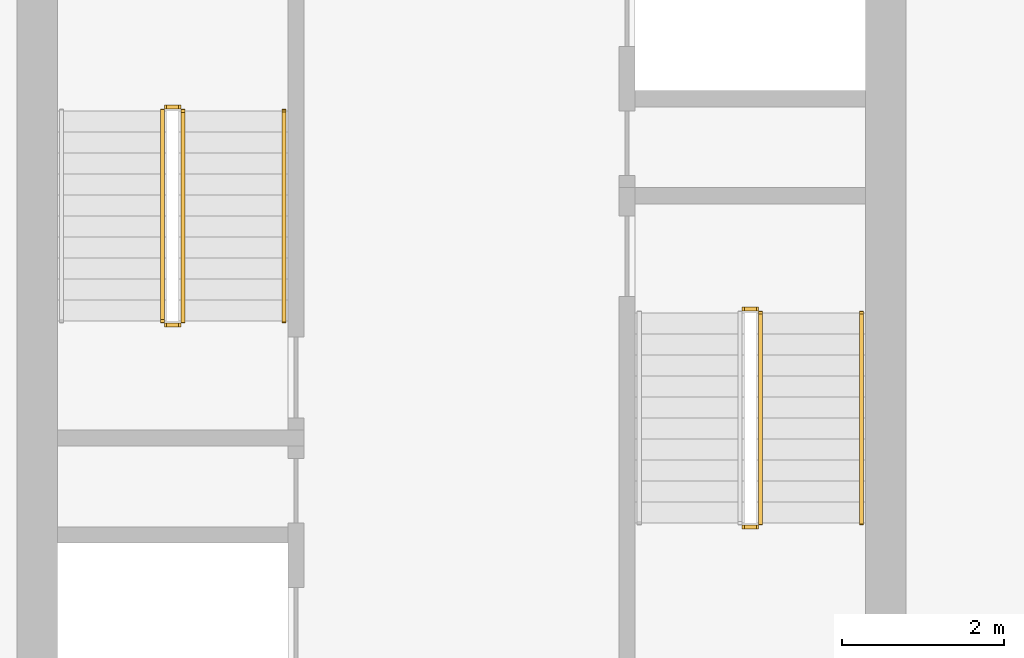
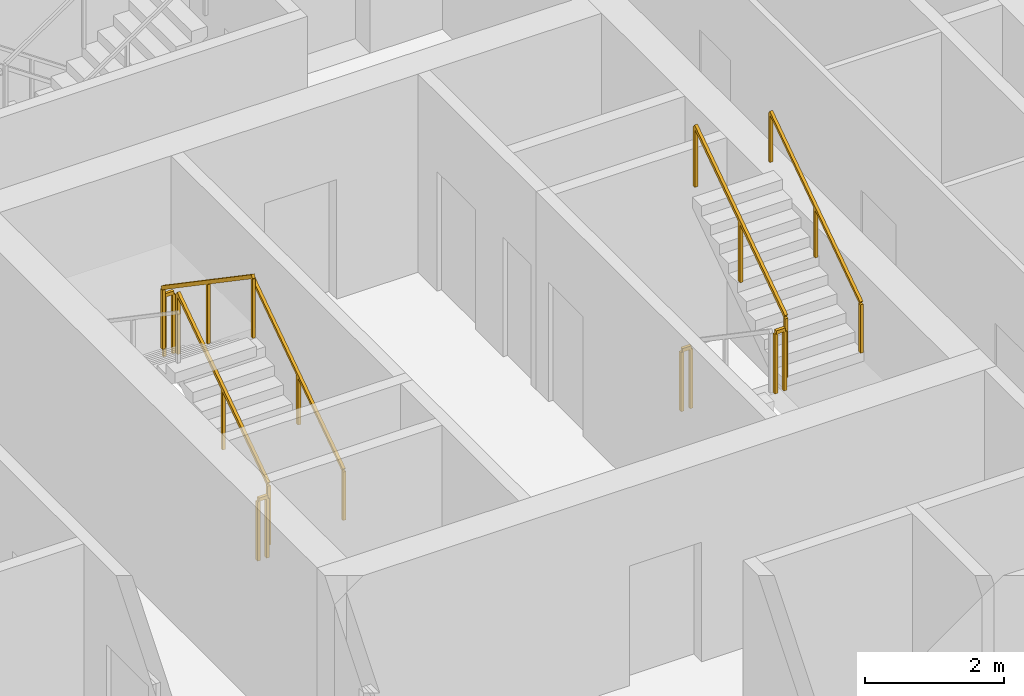
# One storey, part 12 of 15: 9 railings.
"""IFC4 building model written with IfcOpenShell, lengths in metres."""

from ifc_helpers import new_model, si_unit, direction, frame, origin, origin_2d, place, context, subcontext, project, spatial, rectangle, extrude, material, type_object, element, save


model = new_model("IFC4")

# Units and contexts
model_context = context("Model", 3, precision=1e-05, world=origin(), true_north=direction((0.0, 1.0)))
body_context = subcontext(model_context, "Body", "Model", "MODEL_VIEW")
ifc_project = project(units=[si_unit("LENGTHUNIT", "METRE"), si_unit("AREAUNIT", "SQUARE_METRE"), si_unit("VOLUMEUNIT", "CUBIC_METRE"), si_unit("PLANEANGLEUNIT", "RADIAN"), si_unit("MASSUNIT", "GRAM", prefix="KILO")], contexts=[model_context])

# Site, building, storey
site_placement = place(None, origin())
site = spatial("IfcSite", under=ifc_project, at=site_placement, CompositionType="ELEMENT")
building_placement = place(site_placement, origin())
building = spatial("IfcBuilding", under=site, at=building_placement, Name="Khepri Terraces", CompositionType="ELEMENT")
storey_placement = place(building_placement, frame((0.0, 0.0, 98.699951171875)))
storey = spatial("IfcBuildingStorey", under=building, at=storey_placement, Name="L23", CompositionType="ELEMENT", Elevation=98.699951171875)

# Railings
ifc_material = material(Name="Stainless steel 316", Category="steel")
railing_type_1 = type_object("IfcRailingType", Name="RL-CORE-GUARD", PredefinedType="GUARDRAIL", material=ifc_material)
railing_1_placement = place(storey_placement, frame((-3.449951171875, -0.050048828125, 0.17724609375)))
element("IfcRailing", 1, at=railing_1_placement, inside=storey, type_object=railing_type_1, Name="L23 ST-1 stair guard 1", PredefinedType="GUARDRAIL", context=body_context, shape_type="SweptSolid", body=[
    extrude(rectangle(XDim=0.050048828125, YDim=0.06005859375, at=origin_2d()), frame((0.0, 0.0, 1.070068359375), z_axis=(0.0, 0.826240473404, 0.563317565952), x_axis=(-1.0, 0.0, 0.0)), (0.0, 0.0, 1.0), 3.14697265625),
    extrude(rectangle(XDim=0.050048828125, YDim=0.050048828125, at=origin_2d()), origin(), (0.0, 0.0, 1.0), 1.0400390625),
    extrude(rectangle(XDim=0.050048828125, YDim=0.050048828125, at=origin_2d()), frame((0.0, 1.300048828125, 0.88623046875)), (0.0, 0.0, 1.0), 1.0400390625),
    extrude(rectangle(XDim=0.050048828125, YDim=0.050048828125, at=origin_2d()), frame((0.0, 2.60009765625, 1.772705078125)), (0.0, 0.0, 1.0), 1.0400390625),
])
railing_2_placement = place(storey_placement, frame((-3.5, 2.60009765625, 1.949951171875)))
element("IfcRailing", 2, at=railing_2_placement, inside=storey, type_object=railing_type_1, Name="L23 ST-1 stair guard 2", PredefinedType="GUARDRAIL", context=body_context, shape_type="SweptSolid", body=[
    extrude(rectangle(XDim=0.050048828125, YDim=0.06005859375, at=origin_2d()), frame((0.0, 0.0, 1.070068359375), z_axis=(-1.0, 0.0, 0.0), x_axis=(0.0, -1.0, 0.0)), (0.0, 0.0, 1.0), 0.14990234375),
    extrude(rectangle(XDim=0.050048828125, YDim=0.050048828125, at=origin_2d()), origin(), (0.0, 0.0, 1.0), 1.0400390625),
    extrude(rectangle(XDim=0.050048828125, YDim=0.050048828125, at=origin_2d()), frame((-0.14990234375, 0.0, 0.0)), (0.0, 0.0, 1.0), 1.0400390625),
])
railing_3_placement = place(storey_placement, frame((-3.699951171875, 2.550048828125, 2.12744140625)))
element("IfcRailing", 3, at=railing_3_placement, inside=storey, type_object=railing_type_1, Name="L23 ST-1 stair guard 3", PredefinedType="GUARDRAIL", context=body_context, shape_type="SweptSolid", body=[
    extrude(rectangle(XDim=0.050048828125, YDim=0.06005859375, at=origin_2d()), frame((0.0, 0.0, 1.070068359375), z_axis=(0.0, -0.826240473404, 0.563317565952), x_axis=(1.0, 0.0, 0.0)), (0.0, 0.0, 1.0), 3.14697265625),
    extrude(rectangle(XDim=0.050048828125, YDim=0.050048828125, at=origin_2d()), origin(), (0.0, 0.0, 1.0), 1.0400390625),
    extrude(rectangle(XDim=0.050048828125, YDim=0.050048828125, at=origin_2d()), frame((0.0, -1.300048828125, 0.88623046875)), (0.0, 0.0, 1.0), 1.0400390625),
    extrude(rectangle(XDim=0.050048828125, YDim=0.050048828125, at=origin_2d()), frame((0.0, -2.60009765625, 1.772705078125)), (0.0, 0.0, 1.0), 1.0400390625),
])
railing_4_placement = place(storey_placement, frame((-3.5, -0.10009765625, 0.0)))
element("IfcRailing", 4, at=railing_4_placement, inside=storey, type_object=railing_type_1, Name="L23 ST-1 stair guard 4", PredefinedType="GUARDRAIL", context=body_context, shape_type="SweptSolid", body=[
    extrude(rectangle(XDim=0.050048828125, YDim=0.06005859375, at=origin_2d()), frame((0.0, 0.0, 1.070068359375), z_axis=(-1.0, 0.0, 0.0), x_axis=(0.0, -1.0, 0.0)), (0.0, 0.0, 1.0), 0.14990234375),
    extrude(rectangle(XDim=0.050048828125, YDim=0.050048828125, at=origin_2d()), origin(), (0.0, 0.0, 1.0), 1.0400390625),
    extrude(rectangle(XDim=0.050048828125, YDim=0.050048828125, at=origin_2d()), frame((-0.14990234375, 0.0, 0.0)), (0.0, 0.0, 1.0), 1.0400390625),
])
railing_5_placement = place(storey_placement, frame((3.5, -2.60009765625, 1.949951171875)))
element("IfcRailing", 5, at=railing_5_placement, inside=storey, type_object=railing_type_1, Name="L23 ST-2 stair guard 2", PredefinedType="GUARDRAIL", context=body_context, shape_type="SweptSolid", body=[
    extrude(rectangle(XDim=0.050048828125, YDim=0.06005859375, at=origin_2d()), frame((0.0, 0.0, 1.070068359375), z_axis=(1.0, 0.0, 0.0), x_axis=(0.0, 1.0, 0.0)), (0.0, 0.0, 1.0), 0.14990234375),
    extrude(rectangle(XDim=0.050048828125, YDim=0.050048828125, at=origin_2d()), origin(), (0.0, 0.0, 1.0), 1.0400390625),
    extrude(rectangle(XDim=0.050048828125, YDim=0.050048828125, at=origin_2d()), frame((0.14990234375, 0.0, 0.0)), (0.0, 0.0, 1.0), 1.0400390625),
])
railing_6_placement = place(storey_placement, frame((3.699951171875, -2.550048828125, 2.12744140625)))
element("IfcRailing", 6, at=railing_6_placement, inside=storey, type_object=railing_type_1, Name="L23 ST-2 stair guard 3", PredefinedType="GUARDRAIL", context=body_context, shape_type="SweptSolid", body=[
    extrude(rectangle(XDim=0.050048828125, YDim=0.06005859375, at=origin_2d()), frame((0.0, 0.0, 1.070068359375), z_axis=(0.0, 0.826240473404, 0.563317565952), x_axis=(-1.0, 0.0, 0.0)), (0.0, 0.0, 1.0), 3.14697265625),
    extrude(rectangle(XDim=0.050048828125, YDim=0.050048828125, at=origin_2d()), origin(), (0.0, 0.0, 1.0), 1.0400390625),
    extrude(rectangle(XDim=0.050048828125, YDim=0.050048828125, at=origin_2d()), frame((0.0, 1.300048828125, 0.88623046875)), (0.0, 0.0, 1.0), 1.0400390625),
    extrude(rectangle(XDim=0.050048828125, YDim=0.050048828125, at=origin_2d()), frame((0.0, 2.60009765625, 1.772705078125)), (0.0, 0.0, 1.0), 1.0400390625),
])
railing_7_placement = place(storey_placement, frame((3.5, 0.10009765625, 0.0)))
element("IfcRailing", 7, at=railing_7_placement, inside=storey, type_object=railing_type_1, Name="L23 ST-2 stair guard 4", PredefinedType="GUARDRAIL", context=body_context, shape_type="SweptSolid", body=[
    extrude(rectangle(XDim=0.050048828125, YDim=0.06005859375, at=origin_2d()), frame((0.0, 0.0, 1.070068359375), z_axis=(1.0, 0.0, 0.0), x_axis=(0.0, 1.0, 0.0)), (0.0, 0.0, 1.0), 0.14990234375),
    extrude(rectangle(XDim=0.050048828125, YDim=0.050048828125, at=origin_2d()), origin(), (0.0, 0.0, 1.0), 1.0400390625),
    extrude(rectangle(XDim=0.050048828125, YDim=0.050048828125, at=origin_2d()), frame((0.14990234375, 0.0, 0.0)), (0.0, 0.0, 1.0), 1.0400390625),
])
railing_type_2 = type_object("IfcRailingType", Name="RL-CORE-HANDRAIL", PredefinedType="HANDRAIL", material=ifc_material)
for number, where, name in (
    (8, (-2.199951171875, -0.050048828125, 0.17724609375), "L23 ST-1 stair handrail 1"),
    (9, (4.949951171875, -2.550048828125, 2.12744140625), "L23 ST-2 stair handrail 2"),
):
    element("IfcRailing", number, at=place(storey_placement, frame(where)), inside=storey, type_object=railing_type_2, Name=name, PredefinedType="HANDRAIL", context=body_context, shape_type="SweptSolid", body=[
        extrude(rectangle(XDim=0.050048828125, YDim=0.050048828125, at=origin_2d()), frame((0.0, 0.0, 0.875), z_axis=(0.0, 0.826240473404, 0.563317565952), x_axis=(-1.0, 0.0, 0.0)), (0.0, 0.0, 1.0), 3.14697265625),
        extrude(rectangle(XDim=0.050048828125, YDim=0.050048828125, at=origin_2d()), origin(), (0.0, 0.0, 1.0), 0.849853515625),
        extrude(rectangle(XDim=0.050048828125, YDim=0.050048828125, at=origin_2d()), frame((0.0, 1.300048828125, 0.88623046875)), (0.0, 0.0, 1.0), 0.849853515625),
        extrude(rectangle(XDim=0.050048828125, YDim=0.050048828125, at=origin_2d()), frame((0.0, 2.60009765625, 1.772705078125)), (0.0, 0.0, 1.0), 0.849853515625),
    ])

save(model, "model.ifc")
